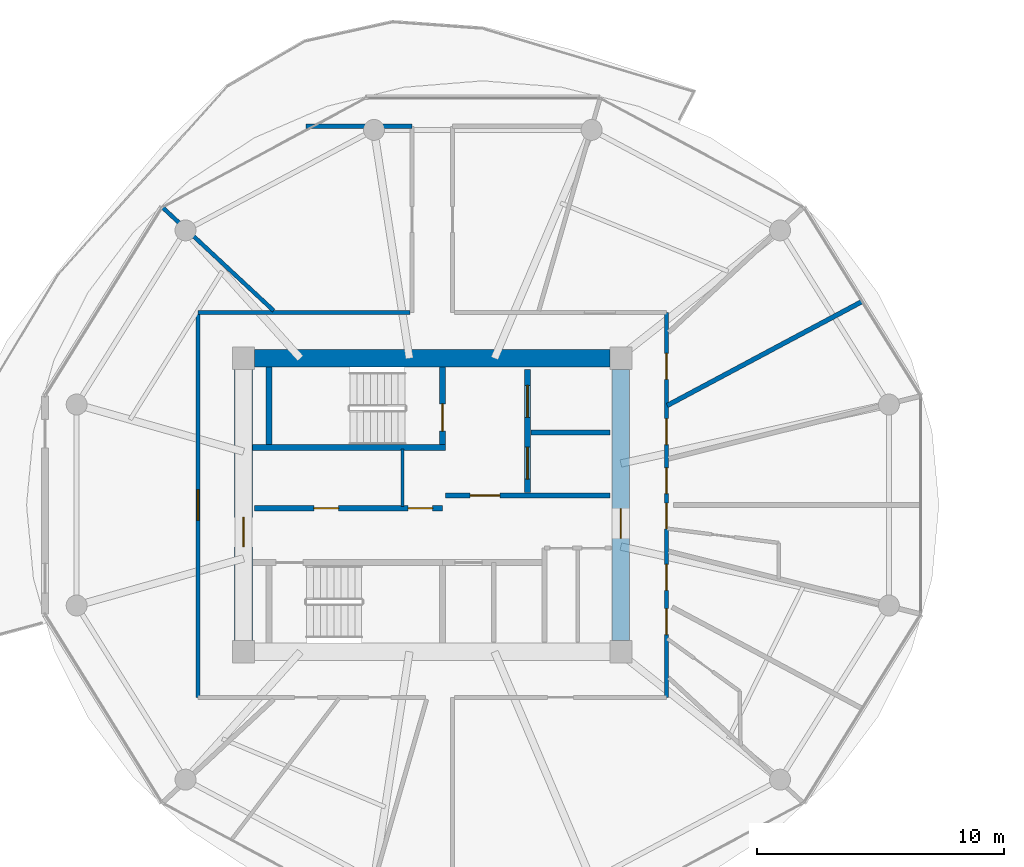
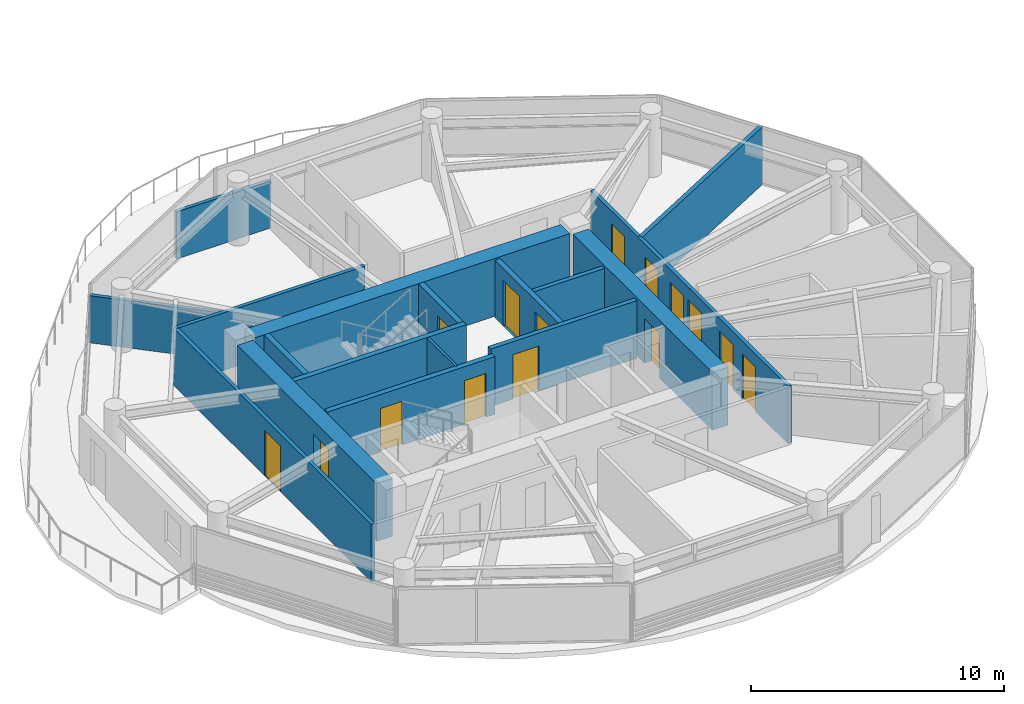
# One storey, part 14 of 22: 17 walls, 15 doors, 15 openings.
"""IFC4 building model written with IfcOpenShell, lengths in metres."""

import ifcopenshell
import ifcopenshell.guid

model = None  # the IFC model being written
_history = None  # IfcOwnerHistory: only IFC2X3 demands one
_inside = {}  # id of a spatial element -> (the spatial element, [elements in it])
_under = {}  # id of a project, library or spatial element -> (it, [spatial elements below it])
_declared = {}  # id of a project -> (the project, [libraries it declares])
_typed = {}  # id of a type object -> (the type object, [elements of that type])
_made_of = {}  # id of a material, layer set ... -> (it, [elements and type objects made of it])


def new_model(schema):
    """Start an empty IFC model of exactly this schema.

    Asked for "IFC4X3", IfcOpenShell would pick the latest addendum, in which some entities
    have other attributes; the version numbers below select the first issue.
    IFC2X3 requires an IfcOwnerHistory on every rooted entity: one is made here for all.
    """
    global model, _history
    if schema == "IFC4X3":
        model = ifcopenshell.file(schema_version=(4, 3, 0, 0))
    else:
        model = ifcopenshell.file(schema=schema)
    _inside.clear()
    _under.clear()
    _declared.clear()
    _typed.clear()
    _made_of.clear()
    _history = None
    if model.schema == "IFC2X3":
        org = make("IfcOrganization", Name="unknown")
        user = make(
            "IfcPersonAndOrganization",
            ThePerson=make("IfcPerson", FamilyName="unknown"),
            TheOrganization=org,
        )
        app = make(
            "IfcApplication",
            ApplicationDeveloper=org,
            Version="unknown",
            ApplicationFullName="unknown",
            ApplicationIdentifier="unknown",
        )
        _history = make(
            "IfcOwnerHistory",
            OwningUser=user,
            OwningApplication=app,
            ChangeAction="ADDED",
            CreationDate=0,
        )
    return model


def make(cls, **values):
    """One entity of the class cls with the attributes given. An attribute that is None is left unset."""
    return model.create_entity(
        cls, **{name: value for name, value in values.items() if value is not None}
    )


def rooted(cls, **values):
    """An entity with a GlobalId (a new one), such as an element, a storey or a relation."""
    return make(cls, GlobalId=ifcopenshell.guid.new(), OwnerHistory=_history, **values)


def si_unit(unit_type, name, prefix=None):
    """IfcSIUnit, for example si_unit("LENGTHUNIT", "METRE", prefix="MILLI")."""
    return make("IfcSIUnit", UnitType=unit_type, Prefix=prefix, Name=name)


def assignment(units):
    """IfcUnitAssignment: the units of a project."""
    return None if units is None else make("IfcUnitAssignment", Units=units)


def point(xyz):
    """IfcCartesianPoint."""
    return None if xyz is None else make("IfcCartesianPoint", Coordinates=xyz)


def direction(xyz):
    """IfcDirection."""
    return None if xyz is None else make("IfcDirection", DirectionRatios=xyz)


def frame(location, z_axis=None, x_axis=None):
    """IfcAxis2Placement3D, a coordinate frame: its origin and axes. An axis left out is left unset."""
    return make(
        "IfcAxis2Placement3D",
        Location=point(location),
        Axis=direction(z_axis),
        RefDirection=direction(x_axis),
    )


def frame_2d(location, x_axis=None):
    """IfcAxis2Placement2D, a coordinate frame in the plane: its origin and x axis."""
    return make(
        "IfcAxis2Placement2D", Location=point(location), RefDirection=direction(x_axis)
    )


def origin():
    """The frame at (0, 0, 0) with its axes left unset."""
    return frame((0.0, 0.0, 0.0))


def place(relative_to, where):
    """IfcLocalPlacement: puts the frame where relative to a parent placement (None: the world)."""
    return make(
        "IfcLocalPlacement", PlacementRelTo=relative_to, RelativePlacement=where
    )


def context(
    kind, dimensions, precision=None, world=None, true_north=None, identifier=None
):
    """IfcGeometricRepresentationContext, for example the 3D "Model" context."""
    return make(
        "IfcGeometricRepresentationContext",
        ContextIdentifier=identifier,
        ContextType=kind,
        CoordinateSpaceDimension=dimensions,
        Precision=precision,
        WorldCoordinateSystem=world,
        TrueNorth=true_north,
    )


def subcontext(parent, identifier, kind, view, scale=None):
    """IfcGeometricRepresentationSubContext, for example "Body" below "Model"."""
    return make(
        "IfcGeometricRepresentationSubContext",
        ContextIdentifier=identifier,
        ContextType=kind,
        ParentContext=parent,
        TargetScale=scale,
        TargetView=view,
    )


def project(units=None, contexts=None):
    """IfcProject with its units and contexts."""
    return rooted(
        "IfcProject",
        Name="project",
        RepresentationContexts=contexts,
        UnitsInContext=assignment(units),
    )


def spatial(cls, under=None, at=None, **own):
    """A site, building, storey or space (cls), placed at a placement, below another one or the project."""
    s = rooted(cls, ObjectPlacement=at, **own)
    if under is not None:
        _under.setdefault(under.id(), (under, []))[1].append(s)
    return s


def profile(cls, at=None, kind="AREA", **sizes):
    """A parametric profile (cls). Its sizes go by their IFC names, for example OverallWidth=200.0."""
    return make(cls, ProfileType=kind, Position=at, **sizes)


def rectangle(**sizes):
    """IfcRectangleProfileDef."""
    return profile("IfcRectangleProfileDef", **sizes)


def extrude(swept, where, along, depth):
    """IfcExtrudedAreaSolid: the profile swept, set in the frame where, extruded along a direction by depth."""
    return make(
        "IfcExtrudedAreaSolid",
        SweptArea=swept,
        Position=where,
        ExtrudedDirection=direction(along),
        Depth=depth,
    )


def shape(context_of_items, identifier, shape_type, items):
    """IfcShapeRepresentation: the items that make up one representation, for example the "Body"."""
    return make(
        "IfcShapeRepresentation",
        ContextOfItems=context_of_items,
        RepresentationIdentifier=identifier,
        RepresentationType=shape_type,
        Items=items,
    )


def source(mapping_origin, context_of_items, identifier, shape_type, items):
    """IfcRepresentationMap: a shape defined once, which mapped items show again and again."""
    return make(
        "IfcRepresentationMap",
        MappingOrigin=mapping_origin,
        MappedRepresentation=shape(context_of_items, identifier, shape_type, items),
    )


def transform(
    local_origin,
    x_axis=None,
    y_axis=None,
    z_axis=None,
    scale=None,
    scale2=None,
    scale3=None,
    uniform=True,
):
    """IfcCartesianTransformationOperator3D, or its non-uniform kind. x_axis, y_axis, z_axis: its Axis1, 2, 3."""
    if uniform:
        return make(
            "IfcCartesianTransformationOperator3D",
            Axis1=direction(x_axis),
            Axis2=direction(y_axis),
            LocalOrigin=point(local_origin),
            Scale=scale,
            Axis3=direction(z_axis),
        )
    return make(
        "IfcCartesianTransformationOperator3DnonUniform",
        Axis1=direction(x_axis),
        Axis2=direction(y_axis),
        LocalOrigin=point(local_origin),
        Scale=scale,
        Axis3=direction(z_axis),
        Scale2=scale2,
        Scale3=scale3,
    )


def mapped(mapping_source, mapping_target):
    """IfcMappedItem: shows the shape of a source again, moved by a transform."""
    return make(
        "IfcMappedItem", MappingSource=mapping_source, MappingTarget=mapping_target
    )


def material(Name=None, Category=None):
    """IfcMaterial."""
    return make("IfcMaterial", Name=Name, Category=Category)


def layer(
    of_material, thickness, ventilated=None, Name=None, Category=None, Priority=None
):
    """IfcMaterialLayer: one layer of a wall or slab, of a material (None: an air gap)."""
    return make(
        "IfcMaterialLayer",
        Material=of_material,
        LayerThickness=thickness,
        IsVentilated=ventilated,
        Name=Name,
        Category=Category,
        Priority=Priority,
    )


def layer_set(layers, Name=None):
    """IfcMaterialLayerSet."""
    return make("IfcMaterialLayerSet", MaterialLayers=layers, LayerSetName=Name)


def made_of(thing, what):
    """Note that an element or type object is made of a material, layer set ...; save() writes the relation."""
    if what is not None:
        _made_of.setdefault(what.id(), (what, []))[1].append(thing)
    return thing


def type_object(cls, material=None, **own):
    """A type object (cls), such as IfcWallType, which elements share."""
    return made_of(rooted(cls, **own), material)


def type_shapes(of_type, sources):
    """Give a type object the sources (RepresentationMaps) that its elements show as mapped items."""
    of_type.RepresentationMaps = sources


def element(
    cls,
    number,
    at=None,
    inside=None,
    cuts=None,
    type_object=None,
    material=None,
    context=None,
    identifier="Body",
    shape_type=None,
    held_by="IfcProductDefinitionShape",
    body=None,
    shapes=None,
    **own,
):
    """One element of the class cls, such as IfcWall. Its Tag is "e" and its number.

    at: its placement. inside: the storey or other place that contains it. cuts: it is an
    opening in that element (IfcRelVoidsElement). A single representation is given by context,
    identifier, shape_type and body (its items); several are given by shapes. held_by: the class
    of the entity that holds the representations. save() writes the other relations.
    """
    e = rooted(cls, Tag="e%d" % number, ObjectPlacement=at, **own)
    if body is not None:
        shapes = [shape(context, identifier, shape_type, body)]
    if shapes is not None:
        e.Representation = make(held_by, Representations=shapes)
    if inside is not None:
        _inside.setdefault(inside.id(), (inside, []))[1].append(e)
    if cuts is not None:
        rooted(
            "IfcRelVoidsElement", RelatingBuildingElement=cuts, RelatedOpeningElement=e
        )
    if type_object is not None:
        _typed.setdefault(type_object.id(), (type_object, []))[1].append(e)
    return made_of(e, material)


def fill(opening, filler):
    """IfcRelFillsElement: the door or window that sits in an opening."""
    return rooted(
        "IfcRelFillsElement",
        RelatingOpeningElement=opening,
        RelatedBuildingElement=filler,
    )


def aggregate(whole, parts):
    """IfcRelAggregates: a whole, such as a stair, and the parts it consists of."""
    return rooted("IfcRelAggregates", RelatingObject=whole, RelatedObjects=parts)


def save(model, path):
    """Write the relations noted so far, then the file.

    IfcRelAggregates (storeys below a building ...), IfcRelContainedInSpatialStructure (elements
    in a storey), IfcRelDefinesByType, IfcRelAssociatesMaterial and IfcRelDeclares: one each for
    every whole, place, type object, material and project.
    """
    for whole, parts in _under.values():
        aggregate(whole, parts)
    for where, things in _inside.values():
        rooted(
            "IfcRelContainedInSpatialStructure",
            RelatedElements=things,
            RelatingStructure=where,
        )
    for kind, things in _typed.values():
        rooted("IfcRelDefinesByType", RelatedObjects=things, RelatingType=kind)
    for what, things in _made_of.values():
        rooted("IfcRelAssociatesMaterial", RelatedObjects=things, RelatingMaterial=what)
    for by, libraries in _declared.values():
        rooted("IfcRelDeclares", RelatingContext=by, RelatedDefinitions=libraries)
    model.write(path)


model = new_model("IFC4")

# Units and contexts
model_context = context("Model", 3, precision=1e-05, world=origin(), true_north=direction((0.0, 1.0)))
body_context = subcontext(model_context, "Body", "Model", "MODEL_VIEW")
ifc_project = project(units=[si_unit("LENGTHUNIT", "METRE"), si_unit("AREAUNIT", "SQUARE_METRE"), si_unit("VOLUMEUNIT", "CUBIC_METRE"), si_unit("PLANEANGLEUNIT", "RADIAN"), si_unit("MASSUNIT", "GRAM", prefix="KILO")], contexts=[model_context])

# Site, building, storey
site_placement = place(None, origin())
site = spatial("IfcSite", under=ifc_project, at=site_placement, CompositionType="ELEMENT")
building_placement = place(site_placement, origin())
building = spatial("IfcBuilding", under=site, at=building_placement, Name="Norrkilde Senior Care Towers", CompositionType="ELEMENT")
storey_placement = place(building_placement, frame((0.0, 0.0, 87.10009765625)))
storey = spatial("IfcBuildingStorey", under=building, at=storey_placement, Name="L26", CompositionType="ELEMENT", Elevation=87.10009765625)

# Wall
ifc_material_1 = material(Name="Concrete C60/75", Category="concrete")
ifc_layer_1 = layer(ifc_material_1, 0.719970703125)
ifc_layer_set_1 = layer_set([ifc_layer_1], Name="Concrete C60/75")
wall_type_1 = type_object("IfcWallType", Name="Core Shear Wall Z2 720", PredefinedType="SHEAR", material=ifc_layer_set_1)
shared_shape_1 = source(origin(), body_context, "Body", "SweptSolid", [
    extrude(rectangle(XDim=14.39990234375, YDim=0.719970703125, at=frame_2d((7.199951171875, 0.0))), origin(), (0.0, 0.0, 1.0), 2.789794921875),
])
wall_1_placement = place(storey_placement, frame((-35.199951171875, 5.949951171875, 0.0), z_axis=(0.0, 0.0, 1.0), x_axis=(1.0, 0.0, 0.0)))
element("IfcWall", 1, at=wall_1_placement, inside=storey, type_object=wall_type_1, Name="L26 Core W North Shear Wall", PredefinedType="SHEAR", context=body_context, shape_type="MappedRepresentation", body=[
    mapped(shared_shape_1, transform((0.0, 0.0, 0.0), x_axis=(1.0, 0.0, 0.0), y_axis=(0.0, 1.0, 0.0), z_axis=(0.0, 0.0, 1.0), scale=1.0)),
])

# Wall, opening, door
shared_shape_2 = source(origin(), body_context, "Body", "SweptSolid", [
    extrude(rectangle(XDim=11.0, YDim=0.719970703125, at=frame_2d((5.5, 0.0))), origin(), (0.0, 0.0, 1.0), 2.789794921875),
])
type_shapes(wall_type_1, [shared_shape_1, shared_shape_2])
wall_2_placement = place(storey_placement, frame((-35.64990234375, -5.5, 0.0), z_axis=(0.0, 0.0, 1.0), x_axis=(0.0, 1.0, 0.0)))
wall_2 = element("IfcWall", 2, at=wall_2_placement, inside=storey, type_object=wall_type_1, Name="L26 Core W West Shear Wall", PredefinedType="SHEAR", context=body_context, shape_type="MappedRepresentation", body=[
    mapped(shared_shape_2, transform((0.0, 0.0, 0.0), x_axis=(1.0, 0.0, 0.0), y_axis=(0.0, 1.0, 0.0), z_axis=(0.0, 0.0, 1.0), scale=1.0)),
])
opening_1_placement = place(wall_2_placement, frame((3.800048828125, 0.0, 0.0)))
opening_1 = element("IfcOpeningElement", 3, at=opening_1_placement, cuts=wall_2, Name="Opening D-04", PredefinedType="OPENING", context=body_context, shape_type="SweptSolid", body=[
    extrude(rectangle(XDim=1.199951171875, YDim=2.14990234375, at=frame_2d((0.60009765625, 1.074951171875))), frame((0.0, 0.369873046875, 0.0), z_axis=(0.0, -1.0, 0.0), x_axis=(1.0, 0.0, 0.0)), (0.0, 0.0, 1.0), 0.739990234375),
])
ifc_material_2 = material(Name="Galvanised Painted Steel", Category="steel")
door_type_1 = type_object("IfcDoorType", Name="Firefighting Lobby Fire Door 1200x2150", OperationType="NOTDEFINED", PredefinedType="DOOR", material=ifc_material_2)
shared_shape_3 = source(origin(), body_context, "Body", "SweptSolid", [
    extrude(rectangle(XDim=1.199951171875, YDim=2.14990234375, at=frame_2d((0.60009765625, 1.074951171875))), frame((0.0, 0.02490234375, 0.0), z_axis=(0.0, -1.0, 0.0), x_axis=(1.0, 0.0, 0.0)), (0.0, 0.0, 1.0), 0.050048828125),
])
type_shapes(door_type_1, [shared_shape_3])
door_1_placement = place(opening_1_placement, frame((1.199951171875, 0.0, 0.0), z_axis=(0.0, 0.0, 1.0), x_axis=(-1.0, 0.0, 0.0)))
door_1 = element("IfcDoor", 4, at=door_1_placement, inside=storey, type_object=door_type_1, Name="L26 Core W West Portal Door", OperationType="SINGLE_SWING_LEFT", OverallHeight=2.14990234375, OverallWidth=1.199951171875, PredefinedType="DOOR", context=body_context, shape_type="MappedRepresentation", body=[
    mapped(shared_shape_3, transform((0.0, 0.0, 0.0), x_axis=(1.0, 0.0, 0.0), y_axis=(0.0, 1.0, 0.0), z_axis=(0.0, 0.0, 1.0), scale=1.0)),
])
fill(opening_1, door_1)

wall_3_placement = place(storey_placement, frame((-20.35009765625, 5.5, 0.0), z_axis=(0.0, 0.0, 1.0), x_axis=(0.0, -1.0, 0.0)))
wall_3 = element("IfcWall", 5, at=wall_3_placement, inside=storey, type_object=wall_type_1, Name="L26 Core W East Shear Wall", PredefinedType="SHEAR", context=body_context, shape_type="MappedRepresentation", body=[
    mapped(shared_shape_2, transform((0.0, 0.0, 0.0), x_axis=(1.0, 0.0, 0.0), y_axis=(0.0, 1.0, 0.0), z_axis=(0.0, 0.0, 1.0), scale=1.0)),
])
opening_2_placement = place(wall_3_placement, frame((5.64990234375, 0.0, 0.0)))
opening_2 = element("IfcOpeningElement", 6, at=opening_2_placement, cuts=wall_3, Name="Opening D-04", PredefinedType="OPENING", context=body_context, shape_type="SweptSolid", body=[
    extrude(rectangle(XDim=1.199951171875, YDim=2.14990234375, at=frame_2d((0.60009765625, 1.074951171875))), frame((0.0, 0.369873046875, 0.0), z_axis=(0.0, -1.0, 0.0), x_axis=(1.0, 0.0, 0.0)), (0.0, 0.0, 1.0), 0.739990234375),
])
door_2_placement = place(opening_2_placement, frame((1.199951171875, 0.0, 0.0), z_axis=(0.0, 0.0, 1.0), x_axis=(-1.0, 0.0, 0.0)))
door_2 = element("IfcDoor", 7, at=door_2_placement, inside=storey, type_object=door_type_1, Name="L26 Core W East Portal Door", OperationType="SINGLE_SWING_RIGHT", OverallHeight=2.14990234375, OverallWidth=1.199951171875, PredefinedType="DOOR", context=body_context, shape_type="MappedRepresentation", body=[
    mapped(shared_shape_3, transform((0.0, 0.0, 0.0), x_axis=(1.0, 0.0, 0.0), y_axis=(0.0, 1.0, 0.0), z_axis=(0.0, 0.0, 1.0), scale=1.0)),
])
fill(opening_2, door_2)

# Wall, openings, doors
ifc_material_3 = material(Name="Concrete C45/55", Category="concrete")
ifc_layer_2 = layer(ifc_material_3, 0.239990234375)
ifc_layer_set_2 = layer_set([ifc_layer_2], Name="Concrete C45/55")
wall_type_2 = type_object("IfcWallType", Name="Lift and Plant Rated Enclosure Partition 240", PredefinedType="PARTITIONING", material=ifc_layer_set_2)
shared_shape_4 = source(origin(), body_context, "Body", "SweptSolid", [
    extrude(rectangle(XDim=5.0, YDim=0.239990234375, at=frame_2d((2.5, 0.0))), origin(), (0.0, 0.0, 1.0), 2.77490234375),
])
wall_4_placement = place(storey_placement, frame((-24.139892578125, 0.5, 0.0), z_axis=(0.0, 0.0, 1.0), x_axis=(0.0, 1.0, 0.0)))
wall_4 = element("IfcWall", 8, at=wall_4_placement, inside=storey, type_object=wall_type_2, Name="WL-INT-L26-W-FFLE", PredefinedType="PARTITIONING", context=body_context, shape_type="MappedRepresentation", body=[
    mapped(shared_shape_4, transform((0.0, 0.0, 0.0), x_axis=(1.0, 0.0, 0.0), y_axis=(0.0, 1.0, 0.0), z_axis=(0.0, 0.0, 1.0), scale=1.0)),
])
opening_3_placement = place(wall_4_placement, frame((3.050048828125, 0.0, 0.0)))
opening_3 = element("IfcOpeningElement", 9, at=opening_3_placement, cuts=wall_4, Name="Opening LD-02", PredefinedType="OPENING", context=body_context, shape_type="SweptSolid", body=[
    extrude(rectangle(XDim=1.300048828125, YDim=2.199951171875, at=frame_2d((0.64990234375, 1.10009765625))), frame((0.0, 0.1298828125, 0.0), z_axis=(0.0, -1.0, 0.0), x_axis=(1.0, 0.0, 0.0)), (0.0, 0.0, 1.0), 0.260009765625),
])
opening_4_placement = place(wall_4_placement, frame((0.550048828125, 0.0, 0.0)))
opening_4 = element("IfcOpeningElement", 10, at=opening_4_placement, cuts=wall_4, Name="Opening LD-02", PredefinedType="OPENING", context=body_context, shape_type="SweptSolid", body=[
    extrude(rectangle(XDim=1.300048828125, YDim=2.199951171875, at=frame_2d((0.64990234375, 1.10009765625))), frame((0.0, 0.1298828125, 0.0), z_axis=(0.0, -1.0, 0.0), x_axis=(1.0, 0.0, 0.0)), (0.0, 0.0, 1.0), 0.260009765625),
])
ifc_material_4 = material(Name="Stainless Steel", Category="steel")
door_type_2 = type_object("IfcDoorType", Name="Stretcher and FFL Landing Sliding Door 1300x2200", OperationType="NOTDEFINED", PredefinedType="DOOR", material=ifc_material_4)
shared_shape_5 = source(origin(), body_context, "Body", "SweptSolid", [
    extrude(rectangle(XDim=1.300048828125, YDim=2.199951171875, at=frame_2d((0.64990234375, 1.10009765625))), frame((0.0, 0.02490234375, 0.0), z_axis=(0.0, -1.0, 0.0), x_axis=(1.0, 0.0, 0.0)), (0.0, 0.0, 1.0), 0.050048828125),
])
type_shapes(door_type_2, [shared_shape_5])
door_3_placement = place(opening_3_placement, origin())
door_3 = element("IfcDoor", 11, at=door_3_placement, inside=storey, type_object=door_type_2, Name="L26 Firefighting Lift W1 Landing Door", OperationType="SLIDING_TO_LEFT", OverallHeight=2.199951171875, OverallWidth=1.300048828125, PredefinedType="DOOR", context=body_context, shape_type="MappedRepresentation", body=[
    mapped(shared_shape_5, transform((0.0, 0.0, 0.0), x_axis=(1.0, 0.0, 0.0), y_axis=(0.0, 1.0, 0.0), z_axis=(0.0, 0.0, 1.0), scale=1.0)),
])
fill(opening_3, door_3)
door_4_placement = place(opening_4_placement, origin())
door_4 = element("IfcDoor", 12, at=door_4_placement, inside=storey, type_object=door_type_2, Name="L26 Stretcher Lift W1 Landing Door", OperationType="SLIDING_TO_RIGHT", OverallHeight=2.199951171875, OverallWidth=1.300048828125, PredefinedType="DOOR", context=body_context, shape_type="MappedRepresentation", body=[
    mapped(shared_shape_5, transform((0.0, 0.0, 0.0), x_axis=(1.0, 0.0, 0.0), y_axis=(0.0, 1.0, 0.0), z_axis=(0.0, 0.0, 1.0), scale=1.0)),
])
fill(opening_4, door_4)

# Wall
ifc_layer_3 = layer(ifc_material_3, 0.199951171875)
ifc_layer_set_3 = layer_set([ifc_layer_3], Name="Concrete C45/55")
wall_type_3 = type_object("IfcWallType", Name="Shaft Division and Plant Partition 200", PredefinedType="PARTITIONING", material=ifc_layer_set_3)
shared_shape_6 = source(origin(), body_context, "Body", "SweptSolid", [
    extrude(rectangle(XDim=3.199951171875, YDim=0.199951171875, at=frame_2d((1.60009765625, 0.0))), origin(), (0.0, 0.0, 1.0), 2.77490234375),
])
type_shapes(wall_type_3, [shared_shape_6])
wall_5_placement = place(storey_placement, frame((-24.0, 2.949951171875, 0.0), z_axis=(0.0, 0.0, 1.0), x_axis=(1.0, 0.0, 0.0)))
element("IfcWall", 13, at=wall_5_placement, inside=storey, type_object=wall_type_3, Name="WL-INT-L26-W-FFLDIV", PredefinedType="PARTITIONING", context=body_context, shape_type="MappedRepresentation", body=[
    mapped(shared_shape_6, transform((0.0, 0.0, 0.0), x_axis=(1.0, 0.0, 0.0), y_axis=(0.0, 1.0, 0.0), z_axis=(0.0, 0.0, 1.0), scale=1.0)),
])

# Wall, opening, door
ifc_layer_4 = layer(ifc_material_3, 0.2099609375)
ifc_layer_set_4 = layer_set([ifc_layer_4], Name="Concrete C45/55")
wall_type_4 = type_object("IfcWallType", Name="Firefighting Lobby Wall 210", PredefinedType="PARTITIONING", material=ifc_layer_set_4)
shared_shape_7 = source(origin(), body_context, "Body", "SweptSolid", [
    extrude(rectangle(XDim=6.659912109375, YDim=0.2099609375, at=frame_2d((3.330078125, 0.0))), origin(), (0.0, 0.0, 1.0), 2.77490234375),
])
type_shapes(wall_type_4, [shared_shape_7])
wall_6_placement = place(storey_placement, frame((-27.4599609375, 0.389892578125, 0.0), z_axis=(0.0, 0.0, 1.0), x_axis=(1.0, 0.0, 0.0)))
wall_6 = element("IfcWall", 14, at=wall_6_placement, inside=storey, type_object=wall_type_4, Name="WL-INT-L26-W-FFLS", PredefinedType="PARTITIONING", context=body_context, shape_type="MappedRepresentation", body=[
    mapped(shared_shape_7, transform((0.0, 0.0, 0.0), x_axis=(1.0, 0.0, 0.0), y_axis=(0.0, 1.0, 0.0), z_axis=(0.0, 0.0, 1.0), scale=1.0)),
])
opening_5_placement = place(wall_6_placement, frame((1.0, 0.0, 0.0)))
opening_5 = element("IfcOpeningElement", 15, at=opening_5_placement, cuts=wall_6, Name="Opening D-04", PredefinedType="OPENING", context=body_context, shape_type="SweptSolid", body=[
    extrude(rectangle(XDim=1.199951171875, YDim=2.14990234375, at=frame_2d((0.60009765625, 1.074951171875))), frame((0.0, 0.114990234375, 0.0), z_axis=(0.0, -1.0, 0.0), x_axis=(1.0, 0.0, 0.0)), (0.0, 0.0, 1.0), 0.22998046875),
])
door_5_placement = place(opening_5_placement, frame((1.199951171875, 0.0, 0.0), z_axis=(0.0, 0.0, 1.0), x_axis=(-1.0, 0.0, 0.0)))
door_5 = element("IfcDoor", 16, at=door_5_placement, inside=storey, type_object=door_type_1, Name="L26 Firefighting Lobby W Door", OperationType="SINGLE_SWING_LEFT", OverallHeight=2.14990234375, OverallWidth=1.199951171875, PredefinedType="DOOR", context=body_context, shape_type="MappedRepresentation", body=[
    mapped(shared_shape_3, transform((0.0, 0.0, 0.0), x_axis=(1.0, 0.0, 0.0), y_axis=(0.0, 1.0, 0.0), z_axis=(0.0, 0.0, 1.0), scale=1.0)),
])
fill(opening_5, door_5)

# Wall, openings, doors
shared_shape_8 = source(origin(), body_context, "Body", "SweptSolid", [
    extrude(rectangle(XDim=7.619873046875, YDim=0.239990234375, at=frame_2d((3.81005859375, 0.0))), origin(), (0.0, 0.0, 1.0), 2.77490234375),
])
type_shapes(wall_type_2, [shared_shape_4, shared_shape_8])
wall_7_placement = place(storey_placement, frame((-35.199951171875, -0.1298828125, 0.0), z_axis=(0.0, 0.0, 1.0), x_axis=(1.0, 0.0, 0.0)))
wall_7 = element("IfcWall", 17, at=wall_7_placement, inside=storey, type_object=wall_type_2, Name="WL-INT-L26-W-PKAS", PredefinedType="PARTITIONING", context=body_context, shape_type="MappedRepresentation", body=[
    mapped(shared_shape_8, transform((0.0, 0.0, 0.0), x_axis=(1.0, 0.0, 0.0), y_axis=(0.0, 1.0, 0.0), z_axis=(0.0, 0.0, 1.0), scale=1.0)),
])
opening_6_placement = place(wall_7_placement, frame((6.219970703125, 0.0, 0.0)))
opening_6 = element("IfcOpeningElement", 18, at=opening_6_placement, cuts=wall_7, Name="Opening D-10", PredefinedType="OPENING", context=body_context, shape_type="SweptSolid", body=[
    extrude(rectangle(XDim=1.0, YDim=2.10009765625, at=frame_2d((0.5, 1.050048828125))), frame((0.0, 0.1298828125, 0.0), z_axis=(0.0, -1.0, 0.0), x_axis=(1.0, 0.0, 0.0)), (0.0, 0.0, 1.0), 0.260009765625),
])
opening_7_placement = place(wall_7_placement, frame((2.39990234375, 0.0, 0.0)))
opening_7 = element("IfcOpeningElement", 19, at=opening_7_placement, cuts=wall_7, Name="Opening D-10", PredefinedType="OPENING", context=body_context, shape_type="SweptSolid", body=[
    extrude(rectangle(XDim=1.0, YDim=2.10009765625, at=frame_2d((0.5, 1.050048828125))), frame((0.0, 0.1298828125, 0.0), z_axis=(0.0, -1.0, 0.0), x_axis=(1.0, 0.0, 0.0)), (0.0, 0.0, 1.0), 0.260009765625),
])
door_type_3 = type_object("IfcDoorType", Name="Plant and Riser Rated Door 1000x2100", OperationType="NOTDEFINED", PredefinedType="DOOR", material=ifc_material_2)
shared_shape_9 = source(origin(), body_context, "Body", "SweptSolid", [
    extrude(rectangle(XDim=1.0, YDim=2.10009765625, at=frame_2d((0.5, 1.050048828125))), frame((0.0, 0.02490234375, 0.0), z_axis=(0.0, -1.0, 0.0), x_axis=(1.0, 0.0, 0.0)), (0.0, 0.0, 1.0), 0.050048828125),
])
type_shapes(door_type_3, [shared_shape_9])
door_6_placement = place(opening_6_placement, frame((1.0, 0.0, 0.0), z_axis=(0.0, 0.0, 1.0), x_axis=(-1.0, 0.0, 0.0)))
door_6 = element("IfcDoor", 20, at=door_6_placement, inside=storey, type_object=door_type_3, Name="L26 Electrical Riser W Door", OperationType="SINGLE_SWING_LEFT", OverallHeight=2.10009765625, OverallWidth=1.0, PredefinedType="DOOR", context=body_context, shape_type="MappedRepresentation", body=[
    mapped(shared_shape_9, transform((0.0, 0.0, 0.0), x_axis=(1.0, 0.0, 0.0), y_axis=(0.0, 1.0, 0.0), z_axis=(0.0, 0.0, 1.0), scale=1.0)),
])
fill(opening_6, door_6)
door_7_placement = place(opening_7_placement, frame((1.0, 0.0, 0.0), z_axis=(0.0, 0.0, 1.0), x_axis=(-1.0, 0.0, 0.0)))
door_7 = element("IfcDoor", 21, at=door_7_placement, inside=storey, type_object=door_type_3, Name="L26 Clean Supply Store W Door", OperationType="SINGLE_SWING_LEFT", OverallHeight=2.10009765625, OverallWidth=1.0, PredefinedType="DOOR", context=body_context, shape_type="MappedRepresentation", body=[
    mapped(shared_shape_9, transform((0.0, 0.0, 0.0), x_axis=(1.0, 0.0, 0.0), y_axis=(0.0, 1.0, 0.0), z_axis=(0.0, 0.0, 1.0), scale=1.0)),
])
fill(opening_7, door_7)

# Wall
ifc_material_5 = material(Name="Gypsum Acoustic Board")
ifc_layer_5 = layer(ifc_material_5, 0.114990234375)
ifc_layer_set_5 = layer_set([ifc_layer_5], Name="Gypsum Acoustic Board")
wall_type_5 = type_object("IfcWallType", Name="Internal Room Partition 115", PredefinedType="PARTITIONING", material=ifc_layer_set_5)
shared_shape_10 = source(origin(), body_context, "Body", "SweptSolid", [
    extrude(rectangle(XDim=2.330078125, YDim=0.114990234375, at=frame_2d((1.1650390625, 0.0))), origin(), (0.0, 0.0, 1.0), 2.77490234375),
])
type_shapes(wall_type_5, [shared_shape_10])
wall_8_placement = place(storey_placement, frame((-29.2099609375, -0.050048828125, 0.0), z_axis=(0.0, 0.0, 1.0), x_axis=(0.0, 1.0, 0.0)))
element("IfcWall", 22, at=wall_8_placement, inside=storey, type_object=wall_type_5, Name="WL-INT-L26-W-RISW", PredefinedType="PARTITIONING", context=body_context, shape_type="MappedRepresentation", body=[
    mapped(shared_shape_10, transform((0.0, 0.0, 0.0), x_axis=(1.0, 0.0, 0.0), y_axis=(0.0, 1.0, 0.0), z_axis=(0.0, 0.0, 1.0), scale=1.0)),
])

# Wall, opening, door
ifc_layer_6 = layer(ifc_material_5, 0.1650390625)
ifc_layer_set_6 = layer_set([ifc_layer_6], Name="Gypsum Acoustic Board")
wall_type_6 = type_object("IfcWallType", Name="Corridor Rated Partition 165", PredefinedType="PARTITIONING", material=ifc_layer_set_6)
shared_shape_11 = source(origin(), body_context, "Body", "SweptSolid", [
    extrude(rectangle(XDim=15.60009765625, YDim=0.1650390625, at=frame_2d((7.800048828125, 0.0))), origin(), (0.0, 0.0, 1.0), 2.77490234375),
])
wall_9_placement = place(storey_placement, frame((-37.5, -7.800048828125, 0.0), z_axis=(0.0, 0.0, 1.0), x_axis=(0.0, 1.0, 0.0)))
wall_9 = element("IfcWall", 23, at=wall_9_placement, inside=storey, type_object=wall_type_6, Name="WL-INT-L26-W-CRW-W-0", PredefinedType="PARTITIONING", context=body_context, shape_type="MappedRepresentation", body=[
    mapped(shared_shape_11, transform((0.0, 0.0, 0.0), x_axis=(1.0, 0.0, 0.0), y_axis=(0.0, 1.0, 0.0), z_axis=(0.0, 0.0, 1.0), scale=1.0)),
])
opening_8_placement = place(wall_9_placement, frame((7.175048828125, 0.0, 0.0)))
opening_8 = element("IfcOpeningElement", 24, at=opening_8_placement, cuts=wall_9, Name="Opening D-05", PredefinedType="OPENING", context=body_context, shape_type="SweptSolid", body=[
    extrude(rectangle(XDim=1.25, YDim=2.199951171875, at=frame_2d((0.625, 1.10009765625))), frame((0.0, 0.092529296875, 0.0), z_axis=(0.0, -1.0, 0.0), x_axis=(1.0, 0.0, 0.0)), (0.0, 0.0, 1.0), 0.18505859375),
])
ifc_material_6 = material(Name="Nordic Ash Timber", Category="wood")
door_type_4 = type_object("IfcDoorType", Name="Care Bedroom Bariatric Door 1250x2200", OperationType="NOTDEFINED", PredefinedType="DOOR", material=ifc_material_6)
shared_shape_12 = source(origin(), body_context, "Body", "SweptSolid", [
    extrude(rectangle(XDim=1.25, YDim=2.199951171875, at=frame_2d((0.625, 1.10009765625))), frame((0.0, 0.02490234375, 0.0), z_axis=(0.0, -1.0, 0.0), x_axis=(1.0, 0.0, 0.0)), (0.0, 0.0, 1.0), 0.050048828125),
])
type_shapes(door_type_4, [shared_shape_12])
door_8_placement = place(opening_8_placement, frame((1.25, 0.0, 0.0), z_axis=(0.0, 0.0, 1.0), x_axis=(-1.0, 0.0, 0.0)))
door_8 = element("IfcDoor", 25, at=door_8_placement, inside=storey, type_object=door_type_4, Name="L26 Resident Therapeutic Day Lounge Door", OperationType="SINGLE_SWING_LEFT", OverallHeight=2.199951171875, OverallWidth=1.25, PredefinedType="DOOR", context=body_context, shape_type="MappedRepresentation", body=[
    mapped(shared_shape_12, transform((0.0, 0.0, 0.0), x_axis=(1.0, 0.0, 0.0), y_axis=(0.0, 1.0, 0.0), z_axis=(0.0, 0.0, 1.0), scale=1.0)),
])
fill(opening_8, door_8)

# Wall, openings, doors
wall_10_placement = place(storey_placement, frame((-18.5, 7.800048828125, 0.0), z_axis=(0.0, 0.0, 1.0), x_axis=(0.0, -1.0, 0.0)))
wall_10 = element("IfcWall", 26, at=wall_10_placement, inside=storey, type_object=wall_type_6, Name="WL-INT-L26-W-CRW-E-0", PredefinedType="PARTITIONING", context=body_context, shape_type="MappedRepresentation", body=[
    mapped(shared_shape_11, transform((0.0, 0.0, 0.0), x_axis=(1.0, 0.0, 0.0), y_axis=(0.0, 1.0, 0.0), z_axis=(0.0, 0.0, 1.0), scale=1.0)),
])
opening_9_placement = place(wall_10_placement, frame((12.001953125, 0.0, 0.0)))
opening_9 = element("IfcOpeningElement", 27, at=opening_9_placement, cuts=wall_10, Name="Opening D-06", PredefinedType="OPENING", context=body_context, shape_type="SweptSolid", body=[
    extrude(rectangle(XDim=1.050048828125, YDim=2.14990234375, at=frame_2d((0.52490234375, 1.074951171875))), frame((0.0, 0.092529296875, 0.0), z_axis=(0.0, -1.0, 0.0), x_axis=(1.0, 0.0, 0.0)), (0.0, 0.0, 1.0), 0.18505859375),
])
opening_10_placement = place(wall_10_placement, frame((10.210693359375, 0.0, 0.0)))
opening_10 = element("IfcOpeningElement", 28, at=opening_10_placement, cuts=wall_10, Name="Opening D-06", PredefinedType="OPENING", context=body_context, shape_type="SweptSolid", body=[
    extrude(rectangle(XDim=1.050048828125, YDim=2.14990234375, at=frame_2d((0.52490234375, 1.074951171875))), frame((0.0, 0.092529296875, 0.0), z_axis=(0.0, -1.0, 0.0), x_axis=(1.0, 0.0, 0.0)), (0.0, 0.0, 1.0), 0.18505859375),
])
opening_11_placement = place(wall_10_placement, frame((7.721923828125, 0.0, 0.0)))
opening_11 = element("IfcOpeningElement", 29, at=opening_11_placement, cuts=wall_10, Name="Opening D-06", PredefinedType="OPENING", context=body_context, shape_type="SweptSolid", body=[
    extrude(rectangle(XDim=1.050048828125, YDim=2.14990234375, at=frame_2d((0.52490234375, 1.074951171875))), frame((0.0, 0.092529296875, 0.0), z_axis=(0.0, -1.0, 0.0), x_axis=(1.0, 0.0, 0.0)), (0.0, 0.0, 1.0), 0.18505859375),
])
opening_12_placement = place(wall_10_placement, frame((6.290771484375, 0.0, 0.0)))
opening_12 = element("IfcOpeningElement", 30, at=opening_12_placement, cuts=wall_10, Name="Opening D-06", PredefinedType="OPENING", context=body_context, shape_type="SweptSolid", body=[
    extrude(rectangle(XDim=1.050048828125, YDim=2.14990234375, at=frame_2d((0.52490234375, 1.074951171875))), frame((0.0, 0.092529296875, 0.0), z_axis=(0.0, -1.0, 0.0), x_axis=(1.0, 0.0, 0.0)), (0.0, 0.0, 1.0), 0.18505859375),
])
opening_13_placement = place(wall_10_placement, frame((4.296142578125, 0.0, 0.0)))
opening_13 = element("IfcOpeningElement", 31, at=opening_13_placement, cuts=wall_10, Name="Opening D-06", PredefinedType="OPENING", context=body_context, shape_type="SweptSolid", body=[
    extrude(rectangle(XDim=1.050048828125, YDim=2.14990234375, at=frame_2d((0.52490234375, 1.074951171875))), frame((0.0, 0.092529296875, 0.0), z_axis=(0.0, -1.0, 0.0), x_axis=(1.0, 0.0, 0.0)), (0.0, 0.0, 1.0), 0.18505859375),
])
opening_14_placement = place(wall_10_placement, frame((1.654052734375, 0.0, 0.0)))
opening_14 = element("IfcOpeningElement", 32, at=opening_14_placement, cuts=wall_10, Name="Opening D-06", PredefinedType="OPENING", context=body_context, shape_type="SweptSolid", body=[
    extrude(rectangle(XDim=1.050048828125, YDim=2.14990234375, at=frame_2d((0.52490234375, 1.074951171875))), frame((0.0, 0.092529296875, 0.0), z_axis=(0.0, -1.0, 0.0), x_axis=(1.0, 0.0, 0.0)), (0.0, 0.0, 1.0), 0.18505859375),
])
door_type_5 = type_object("IfcDoorType", Name="Apartment Entrance Fire Door 1050x2150", OperationType="NOTDEFINED", PredefinedType="DOOR", material=ifc_material_6)
shared_shape_13 = source(origin(), body_context, "Body", "SweptSolid", [
    extrude(rectangle(XDim=1.050048828125, YDim=2.14990234375, at=frame_2d((0.52490234375, 1.074951171875))), frame((0.0, 0.02490234375, 0.0), z_axis=(0.0, -1.0, 0.0), x_axis=(1.0, 0.0, 0.0)), (0.0, 0.0, 1.0), 0.050048828125),
])
type_shapes(door_type_5, [shared_shape_13])
door_9_placement = place(opening_9_placement, frame((1.050048828125, 0.0, 0.0), z_axis=(0.0, 0.0, 1.0), x_axis=(-1.0, 0.0, 0.0)))
door_9 = element("IfcDoor", 33, at=door_9_placement, inside=storey, type_object=door_type_5, Name="L26 Care Suite 2610A Entrance Door", OperationType="SINGLE_SWING_LEFT", OverallHeight=2.14990234375, OverallWidth=1.050048828125, PredefinedType="DOOR", context=body_context, shape_type="MappedRepresentation", body=[
    mapped(shared_shape_13, transform((0.0, 0.0, 0.0), x_axis=(1.0, 0.0, 0.0), y_axis=(0.0, 1.0, 0.0), z_axis=(0.0, 0.0, 1.0), scale=1.0)),
])
fill(opening_9, door_9)
door_10_placement = place(opening_10_placement, frame((1.050048828125, 0.0, 0.0), z_axis=(0.0, 0.0, 1.0), x_axis=(-1.0, 0.0, 0.0)))
door_10 = element("IfcDoor", 34, at=door_10_placement, inside=storey, type_object=door_type_5, Name="L26 Therapy Day Lounge 10 Door", OperationType="SINGLE_SWING_RIGHT", OverallHeight=2.14990234375, OverallWidth=1.050048828125, PredefinedType="DOOR", context=body_context, shape_type="MappedRepresentation", body=[
    mapped(shared_shape_13, transform((0.0, 0.0, 0.0), x_axis=(1.0, 0.0, 0.0), y_axis=(0.0, 1.0, 0.0), z_axis=(0.0, 0.0, 1.0), scale=1.0)),
])
fill(opening_10, door_10)
door_11_placement = place(opening_11_placement, frame((1.050048828125, 0.0, 0.0), z_axis=(0.0, 0.0, 1.0), x_axis=(-1.0, 0.0, 0.0)))
door_11 = element("IfcDoor", 35, at=door_11_placement, inside=storey, type_object=door_type_5, Name="L26 Care Suite 2611A Entrance Door", OperationType="SINGLE_SWING_RIGHT", OverallHeight=2.14990234375, OverallWidth=1.050048828125, PredefinedType="DOOR", context=body_context, shape_type="MappedRepresentation", body=[
    mapped(shared_shape_13, transform((0.0, 0.0, 0.0), x_axis=(1.0, 0.0, 0.0), y_axis=(0.0, 1.0, 0.0), z_axis=(0.0, 0.0, 1.0), scale=1.0)),
])
fill(opening_11, door_11)
door_12_placement = place(opening_12_placement, frame((1.050048828125, 0.0, 0.0), z_axis=(0.0, 0.0, 1.0), x_axis=(-1.0, 0.0, 0.0)))
door_12 = element("IfcDoor", 36, at=door_12_placement, inside=storey, type_object=door_type_5, Name="L26 Therapy Day Lounge 11 Door", OperationType="SINGLE_SWING_LEFT", OverallHeight=2.14990234375, OverallWidth=1.050048828125, PredefinedType="DOOR", context=body_context, shape_type="MappedRepresentation", body=[
    mapped(shared_shape_13, transform((0.0, 0.0, 0.0), x_axis=(1.0, 0.0, 0.0), y_axis=(0.0, 1.0, 0.0), z_axis=(0.0, 0.0, 1.0), scale=1.0)),
])
fill(opening_12, door_12)
door_13_placement = place(opening_13_placement, frame((1.050048828125, 0.0, 0.0), z_axis=(0.0, 0.0, 1.0), x_axis=(-1.0, 0.0, 0.0)))
door_13 = element("IfcDoor", 37, at=door_13_placement, inside=storey, type_object=door_type_5, Name="L26 Physiotherapy Clinic 0A Door", OperationType="SINGLE_SWING_LEFT", OverallHeight=2.14990234375, OverallWidth=1.050048828125, PredefinedType="DOOR", context=body_context, shape_type="MappedRepresentation", body=[
    mapped(shared_shape_13, transform((0.0, 0.0, 0.0), x_axis=(1.0, 0.0, 0.0), y_axis=(0.0, 1.0, 0.0), z_axis=(0.0, 0.0, 1.0), scale=1.0)),
])
fill(opening_13, door_13)
door_14_placement = place(opening_14_placement, frame((1.050048828125, 0.0, 0.0), z_axis=(0.0, 0.0, 1.0), x_axis=(-1.0, 0.0, 0.0)))
door_14 = element("IfcDoor", 38, at=door_14_placement, inside=storey, type_object=door_type_5, Name="L26 Assessment Clinic 0B Door", OperationType="SINGLE_SWING_RIGHT", OverallHeight=2.14990234375, OverallWidth=1.050048828125, PredefinedType="DOOR", context=body_context, shape_type="MappedRepresentation", body=[
    mapped(shared_shape_13, transform((0.0, 0.0, 0.0), x_axis=(1.0, 0.0, 0.0), y_axis=(0.0, 1.0, 0.0), z_axis=(0.0, 0.0, 1.0), scale=1.0)),
])
fill(opening_14, door_14)

# Walls
shared_shape_14 = source(origin(), body_context, "Body", "SweptSolid", [
    extrude(rectangle(XDim=8.60009765625, YDim=0.1650390625, at=frame_2d((4.300048828125, 0.0))), origin(), (0.0, 0.0, 1.0), 2.77490234375),
])
wall_11_placement = place(storey_placement, frame((-37.5, 7.800048828125, 0.0), z_axis=(0.0, 0.0, 1.0), x_axis=(1.0, 0.0, 0.0)))
element("IfcWall", 39, at=wall_11_placement, inside=storey, type_object=wall_type_6, Name="WL-INT-L26-W-CRW-N-0", PredefinedType="PARTITIONING", context=body_context, shape_type="MappedRepresentation", body=[
    mapped(shared_shape_14, transform((0.0, 0.0, 0.0), x_axis=(1.0, 0.0, 0.0), y_axis=(0.0, 1.0, 0.0), z_axis=(0.0, 0.0, 1.0), scale=1.0)),
])
shared_shape_15 = source(origin(), body_context, "Body", "SweptSolid", [
    extrude(rectangle(XDim=6.186767578125, YDim=0.1650390625, at=frame_2d((3.09326171875, 0.0))), origin(), (0.0, 0.0, 1.0), 2.27490234375),
])
wall_12_placement = place(storey_placement, frame((-34.428955078125, 7.8798828125, 0.0), z_axis=(0.0, 0.0, 1.0), x_axis=(-0.732501077882, 0.680765870841, 0.0)))
element("IfcWall", 40, at=wall_12_placement, inside=storey, type_object=wall_type_6, Name="WL-INT-L26-W-DEM-04-0", PredefinedType="PARTITIONING", context=body_context, shape_type="MappedRepresentation", body=[
    mapped(shared_shape_15, transform((0.0, 0.0, 0.0), x_axis=(1.0, 0.0, 0.0), y_axis=(0.0, 1.0, 0.0), z_axis=(0.0, 0.0, 1.0), scale=1.0)),
])
shared_shape_16 = source(origin(), body_context, "Body", "SweptSolid", [
    extrude(rectangle(XDim=4.306884765625, YDim=0.1650390625, at=frame_2d((2.1533203125, 0.0))), origin(), (0.0, 0.0, 1.0), 2.27490234375),
])
type_shapes(wall_type_6, [shared_shape_11, shared_shape_14, shared_shape_15, shared_shape_16])
wall_13_placement = place(storey_placement, frame((-33.126953125, 15.360107421875, 0.0), z_axis=(0.0, 0.0, 1.0), x_axis=(1.0, 0.0, 0.0)))
element("IfcWall", 41, at=wall_13_placement, inside=storey, type_object=wall_type_6, Name="WL-INT-L26-W-PKH-NWL-0", PredefinedType="PARTITIONING", context=body_context, shape_type="MappedRepresentation", body=[
    mapped(shared_shape_16, transform((0.0, 0.0, 0.0), x_axis=(1.0, 0.0, 0.0), y_axis=(0.0, 1.0, 0.0), z_axis=(0.0, 0.0, 1.0), scale=1.0)),
])
ifc_layer_7 = layer(ifc_material_5, 0.18994140625)
ifc_layer_set_7 = layer_set([ifc_layer_7], Name="Gypsum Acoustic Board")
wall_type_7 = type_object("IfcWallType", Name="Unit Demising Acoustic Wall 190", PredefinedType="PARTITIONING", material=ifc_layer_set_7)
shared_shape_17 = source(origin(), body_context, "Body", "SweptSolid", [
    extrude(rectangle(XDim=8.96826171875, YDim=0.18994140625, at=frame_2d((4.484130859375, 0.0))), origin(), (0.0, 0.0, 1.0), 2.77490234375),
])
type_shapes(wall_type_7, [shared_shape_17])
wall_14_placement = place(storey_placement, frame((-18.469970703125, 4.03564453125, 0.0), z_axis=(0.0, 0.0, 1.0), x_axis=(0.882202936563, 0.47086938605, 0.0)))
element("IfcWall", 42, at=wall_14_placement, inside=storey, type_object=wall_type_7, Name="WL-INT-L26-W-MID-00", PredefinedType="PARTITIONING", context=body_context, shape_type="MappedRepresentation", body=[
    mapped(shared_shape_17, transform((0.0, 0.0, 0.0), x_axis=(1.0, 0.0, 0.0), y_axis=(0.0, 1.0, 0.0), z_axis=(0.0, 0.0, 1.0), scale=1.0)),
])
ifc_layer_8 = layer(ifc_material_3, 0.239990234375)
ifc_layer_set_8 = layer_set([ifc_layer_8], Name="Concrete C45/55")
wall_type_8 = type_object("IfcWallType", Name="Shaft and Stair Enclosure Wall 240", PredefinedType="PARTITIONING", material=ifc_layer_set_8)
shared_shape_18 = source(origin(), body_context, "Body", "SweptSolid", [
    extrude(rectangle(XDim=7.830078125, YDim=0.239990234375, at=frame_2d((3.9150390625, 0.0))), origin(), (0.0, 0.0, 1.0), 2.789794921875),
])
wall_15_placement = place(storey_placement, frame((-35.2900390625, 2.330078125, 0.0), z_axis=(0.0, 0.0, 1.0), x_axis=(1.0, 0.0, 0.0)))
element("IfcWall", 43, at=wall_15_placement, inside=storey, type_object=wall_type_8, Name="WL-INT-L26-W-ST1S", PredefinedType="PARTITIONING", context=body_context, shape_type="MappedRepresentation", body=[
    mapped(shared_shape_18, transform((0.0, 0.0, 0.0), x_axis=(1.0, 0.0, 0.0), y_axis=(0.0, 1.0, 0.0), z_axis=(0.0, 0.0, 1.0), scale=1.0)),
])
shared_shape_19 = source(origin(), body_context, "Body", "SweptSolid", [
    extrude(rectangle(XDim=3.14013671875, YDim=0.239990234375, at=frame_2d((1.570068359375, 0.0))), origin(), (0.0, 0.0, 1.0), 2.789794921875),
])
type_shapes(wall_type_8, [shared_shape_18, shared_shape_19])
wall_16_placement = place(storey_placement, frame((-34.6201171875, 2.449951171875, 0.0), z_axis=(0.0, 0.0, 1.0), x_axis=(0.0, 1.0, 0.0)))
element("IfcWall", 44, at=wall_16_placement, inside=storey, type_object=wall_type_8, Name="WL-INT-L26-W-ST1W", PredefinedType="PARTITIONING", context=body_context, shape_type="MappedRepresentation", body=[
    mapped(shared_shape_19, transform((0.0, 0.0, 0.0), x_axis=(1.0, 0.0, 0.0), y_axis=(0.0, 1.0, 0.0), z_axis=(0.0, 0.0, 1.0), scale=1.0)),
])

# Wall, opening, door
wall_17_placement = place(storey_placement, frame((-27.580078125, 2.449951171875, 0.0), z_axis=(0.0, 0.0, 1.0), x_axis=(0.0, 1.0, 0.0)))
wall_17 = element("IfcWall", 45, at=wall_17_placement, inside=storey, type_object=wall_type_8, Name="WL-INT-L26-W-ST1E", PredefinedType="PARTITIONING", context=body_context, shape_type="MappedRepresentation", body=[
    mapped(shared_shape_19, transform((0.0, 0.0, 0.0), x_axis=(1.0, 0.0, 0.0), y_axis=(0.0, 1.0, 0.0), z_axis=(0.0, 0.0, 1.0), scale=1.0)),
])
opening_15_placement = place(wall_17_placement, frame((0.550048828125, 0.0, 0.0)))
opening_15 = element("IfcOpeningElement", 46, at=opening_15_placement, cuts=wall_17, Name="Opening D-03", PredefinedType="OPENING", context=body_context, shape_type="SweptSolid", body=[
    extrude(rectangle(XDim=1.10009765625, YDim=2.14990234375, at=frame_2d((0.550048828125, 1.074951171875))), frame((0.0, 0.1298828125, 0.0), z_axis=(0.0, -1.0, 0.0), x_axis=(1.0, 0.0, 0.0)), (0.0, 0.0, 1.0), 0.260009765625),
])
door_type_6 = type_object("IfcDoorType", Name="Stairwell Protected Fire Door 1100x2150", OperationType="NOTDEFINED", PredefinedType="DOOR", material=ifc_material_2)
shared_shape_20 = source(origin(), body_context, "Body", "SweptSolid", [
    extrude(rectangle(XDim=1.10009765625, YDim=2.14990234375, at=frame_2d((0.550048828125, 1.074951171875))), frame((0.0, 0.02490234375, 0.0), z_axis=(0.0, -1.0, 0.0), x_axis=(1.0, 0.0, 0.0)), (0.0, 0.0, 1.0), 0.050048828125),
])
type_shapes(door_type_6, [shared_shape_20])
door_15_placement = place(opening_15_placement, origin())
door_15 = element("IfcDoor", 47, at=door_15_placement, inside=storey, type_object=door_type_6, Name="L26 Stair W1 Fire Door", OperationType="SINGLE_SWING_LEFT", OverallHeight=2.14990234375, OverallWidth=1.10009765625, PredefinedType="DOOR", context=body_context, shape_type="MappedRepresentation", body=[
    mapped(shared_shape_20, transform((0.0, 0.0, 0.0), x_axis=(1.0, 0.0, 0.0), y_axis=(0.0, 1.0, 0.0), z_axis=(0.0, 0.0, 1.0), scale=1.0)),
])
fill(opening_15, door_15)

save(model, "model.ifc")
